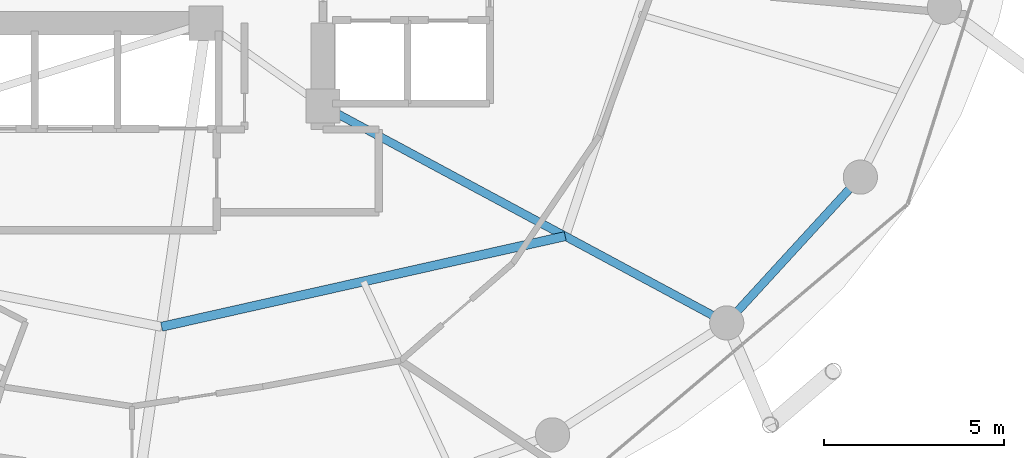
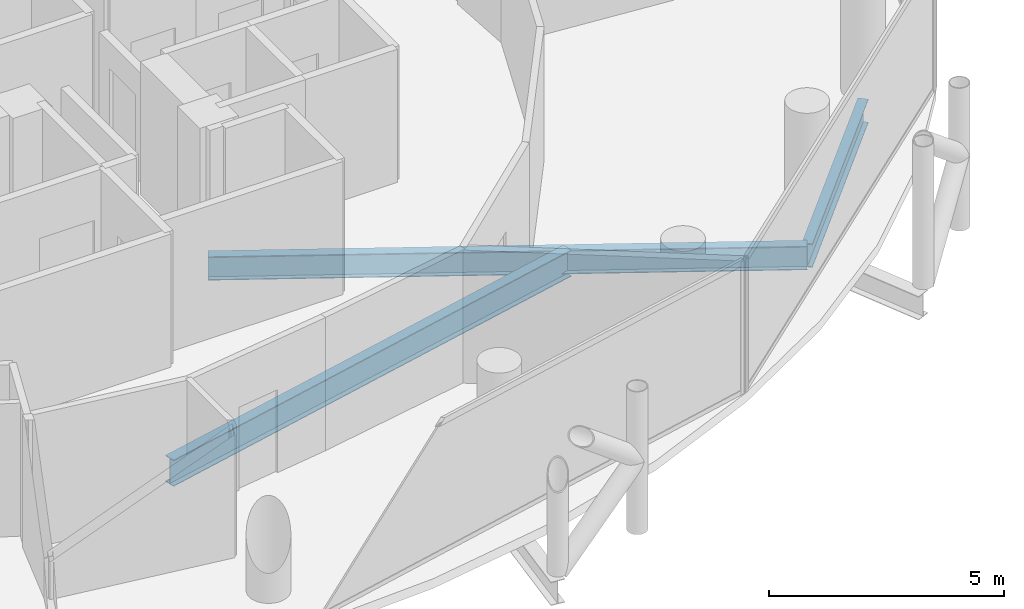
# One storey, part 9 of 26: 3 beams.
"""IFC4 building model written with IfcOpenShell, lengths in metres."""

from ifc_helpers import new_model, si_unit, direction, frame, origin, origin_2d, place, context, subcontext, project, spatial, i_section, extrude, material, material_profile, profile_set, type_object, element, save


model = new_model("IFC4")

# Units and contexts
model_context = context("Model", 3, precision=1e-05, world=origin(), true_north=direction((0.0, 1.0)))
body_context = subcontext(model_context, "Body", "Model", "MODEL_VIEW")
ifc_project = project(units=[si_unit("LENGTHUNIT", "METRE"), si_unit("AREAUNIT", "SQUARE_METRE"), si_unit("VOLUMEUNIT", "CUBIC_METRE"), si_unit("PLANEANGLEUNIT", "RADIAN"), si_unit("MASSUNIT", "GRAM", prefix="KILO")], contexts=[model_context])

# Site, building, storey
site_placement = place(None, origin())
site = spatial("IfcSite", under=ifc_project, at=site_placement, CompositionType="ELEMENT")
building_placement = place(site_placement, origin())
building = spatial("IfcBuilding", under=site, at=building_placement, Name="Nuhasar Tower", CompositionType="ELEMENT")
storey_placement = place(building_placement, frame((0.0, 0.0, 166.35009765625)))
storey = spatial("IfcBuildingStorey", under=building, at=storey_placement, Name="L40", CompositionType="ELEMENT", Elevation=166.35009765625)

# Beams
ifc_material = material(Name="Steel S355", Category="steel")
ifc_material_profile_1 = material_profile(ifc_material, i_section(OverallWidth=0.25390625, OverallDepth=0.68408203125, WebThickness=0.012451171875, FlangeThickness=0.018798828125, at=origin_2d()), Name="W27X94")
ifc_profile_set_1 = profile_set([ifc_material_profile_1], Name="Steel S355")
beam_type_1 = type_object("IfcBeamType", Name="BM-INRING-W27X94", PredefinedType="BEAM", material=ifc_profile_set_1)
beam_1_placement = place(storey_placement, frame((39.820068359375, 12.8701171875, -0.592041015625), z_axis=(0.975716159385, 0.219038755282, 0.0), x_axis=(-0.219038755282, 0.975716159385, 0.0)))
element("IfcBeam", 1, at=beam_1_placement, inside=storey, type_object=beam_type_1, Name="L40 Inner Header Beam 02", PredefinedType="BEAM", context=body_context, shape_type="SweptSolid", body=[
    extrude(i_section(OverallWidth=0.25390625, OverallDepth=0.68408203125, WebThickness=0.012451171875, FlangeThickness=0.018798828125, at=origin_2d()), origin(), (0.0, 0.0, 1.0), 11.48583984375),
])
ifc_material_profile_2 = material_profile(ifc_material, i_section(OverallWidth=0.22900390625, OverallDepth=0.612060546875, WebThickness=0.011962890625, FlangeThickness=0.01953125, at=origin_2d()), Name="W24X84")
ifc_profile_set_2 = profile_set([ifc_material_profile_2], Name="Steel S355")
beam_type_2 = type_object("IfcBeamType", Name="BM-RAD-W24X84", PredefinedType="BEAM", material=ifc_profile_set_2)
beam_2_placement = place(storey_placement, frame((44.300048828125, 19.0, -0.55615234375), z_axis=(0.880888386928, -0.473324043098, 0.0), x_axis=(0.473324043098, 0.880888386928, 0.0)))
element("IfcBeam", 2, at=beam_2_placement, inside=storey, type_object=beam_type_2, Name="L40 Radial Floor Girder 03", PredefinedType="BEAM", context=body_context, shape_type="SweptSolid", body=[
    extrude(i_section(OverallWidth=0.22900390625, OverallDepth=0.612060546875, WebThickness=0.011962890625, FlangeThickness=0.01953125, at=origin_2d()), origin(), (0.0, 0.0, 1.0), 12.726806640625),
])
ifc_material_profile_3 = material_profile(ifc_material, i_section(OverallWidth=0.22998046875, OverallDepth=0.616943359375, WebThickness=0.01318359375, FlangeThickness=0.022216796875, at=origin_2d()), Name="W24X94")
ifc_profile_set_3 = profile_set([ifc_material_profile_3], Name="Steel S355")
beam_type_3 = type_object("IfcBeamType", Name="BM-RING-W24X94", PredefinedType="SPANDREL", material=ifc_profile_set_3)
beam_3_placement = place(storey_placement, frame((55.510986328125, 12.97607421875, -0.55908203125), z_axis=(0.675676316545, 0.737198423262, 0.0), x_axis=(-0.737198423262, 0.675676316545, 0.0)))
element("IfcBeam", 3, at=beam_3_placement, inside=storey, type_object=beam_type_3, Name="L40 Perimeter Ring Spandrel 22", PredefinedType="SPANDREL", context=body_context, shape_type="SweptSolid", body=[
    extrude(i_section(OverallWidth=0.22998046875, OverallDepth=0.616943359375, WebThickness=0.01318359375, FlangeThickness=0.022216796875, at=origin_2d()), origin(), (0.0, 0.0, 1.0), 5.4921875),
])

save(model, "model.ifc")
